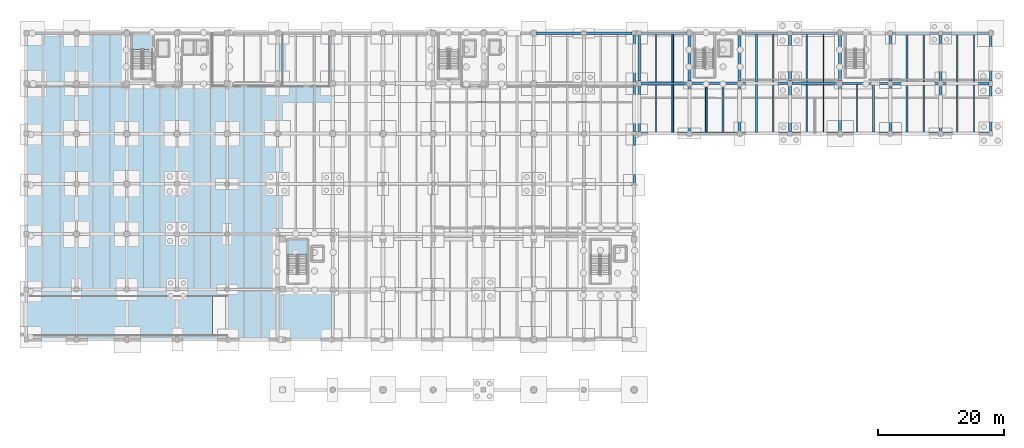
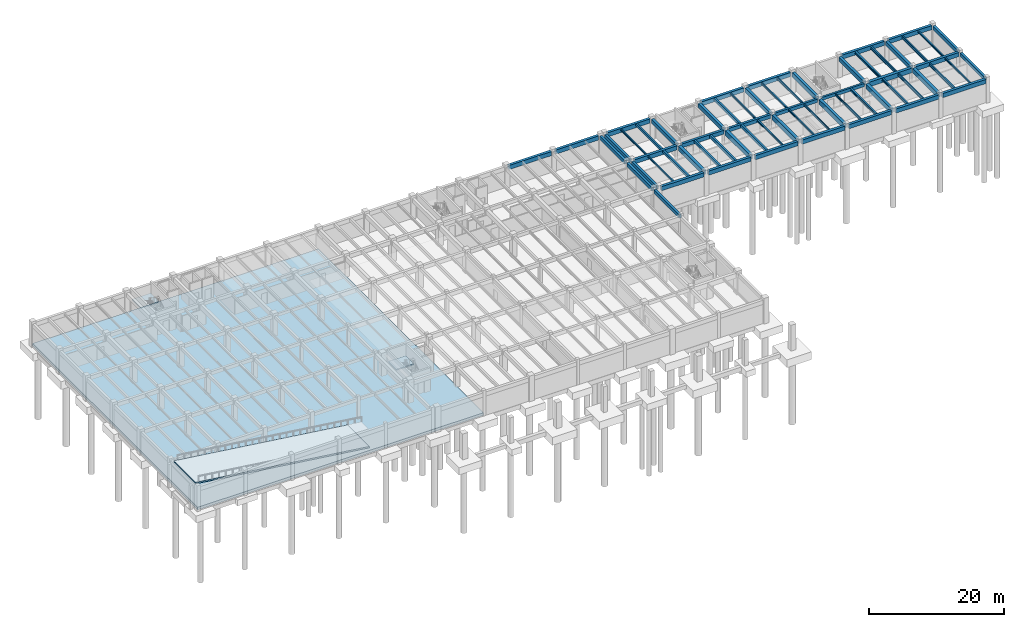
# One storey, part 12 of 25: 64 beams, 4 slabs, 2 elements without a shape of their own.
"""IFC4 building model written with IfcOpenShell, lengths in metres."""

from ifc_helpers import new_model, si_unit, direction, frame, origin, origin_2d, place, context, subcontext, project, spatial, polyline, rectangle, i_section, outline, extrude, material, layer, layer_set, material_profile, profile_set, type_object, element, aggregate, save


model = new_model("IFC4")

# Units and contexts
model_context = context("Model", 3, precision=1e-05, world=origin(), true_north=direction((0.0, 1.0)))
body_context = subcontext(model_context, "Body", "Model", "MODEL_VIEW")
ifc_project = project(units=[si_unit("LENGTHUNIT", "METRE"), si_unit("AREAUNIT", "SQUARE_METRE"), si_unit("VOLUMEUNIT", "CUBIC_METRE"), si_unit("PLANEANGLEUNIT", "RADIAN"), si_unit("MASSUNIT", "GRAM", prefix="KILO")], contexts=[model_context])

# Site, building, storey
site_placement = place(None, origin())
site = spatial("IfcSite", under=ifc_project, at=site_placement, CompositionType="ELEMENT")
building_placement = place(site_placement, origin())
building = spatial("IfcBuilding", under=site, at=building_placement, Name="Tlaxcora Railside Police Headquarters", CompositionType="ELEMENT")
storey_placement = place(building_placement, frame((0.0, 0.0, -4.199951171875)))
storey = spatial("IfcBuildingStorey", under=building, at=storey_placement, Name="B1", CompositionType="ELEMENT", Elevation=-4.199951171875)

# Beams
ifc_material_1 = material(Name="Concrete C40/50", Category="concrete")
ifc_material_profile_1 = material_profile(ifc_material_1, rectangle(XDim=0.39990234375, YDim=0.64990234375, at=origin_2d()), Name="RC400X650")
ifc_profile_set_1 = profile_set([ifc_material_profile_1], Name="Concrete C40/50")
beam_type_1 = type_object("IfcBeamType", Name="Perimeter Spandrel Beam BM-46", PredefinedType="SPANDREL", material=ifc_profile_set_1)
beam_1_placement = place(storey_placement, frame((102.0, 69.0400390625, 3.454833984375), z_axis=(0.0, 1.0, 0.0), x_axis=(-1.0, 0.0, 0.0)))
element("IfcBeam", 1, at=beam_1_placement, inside=storey, type_object=beam_type_1, Name="V5 B1 Y-girder X=102.0", PredefinedType="SPANDREL", context=body_context, shape_type="SweptSolid", body=[
    extrude(rectangle(XDim=0.39990234375, YDim=0.64990234375, at=origin_2d()), origin(), (0.0, 0.0, 1.0), 7.445068359375),
])
for number, where, z_axis, x_axis, name in (
    (2, (102.0, 77.114990234375, 3.454833984375), (0.0, 1.0, 0.0), (-1.0, 0.0, 0.0), "V5 B1 Y-girder X=102.0"),
    (3, (102.0, 85.114990234375, 3.454833984375), (0.0, 1.0, 0.0), (-1.0, 0.0, 0.0), "V5 B1 Y-girder X=102.0"),
):
    element("IfcBeam", number, at=place(storey_placement, frame(where, z_axis=z_axis, x_axis=x_axis)), inside=storey, type_object=beam_type_1, Name=name, PredefinedType="SPANDREL", context=body_context, shape_type="SweptSolid", body=[
        extrude(rectangle(XDim=0.39990234375, YDim=0.64990234375, at=origin_2d()), origin(), (0.0, 0.0, 1.0), 7.3701171875),
    ])
for number, where, z_axis, x_axis, name in (
    (4, (102.800048828125, 77.1650390625, 3.454833984375), (0.0, 1.0, 0.0), (-1.0, 0.0, 0.0), "V6 B1 Y-girder X=102.8"),
    (5, (102.800048828125, 85.1650390625, 3.454833984375), (0.0, 1.0, 0.0), (-1.0, 0.0, 0.0), "V6 B1 Y-girder X=102.8"),
):
    element("IfcBeam", number, at=place(storey_placement, frame(where, z_axis=z_axis, x_axis=x_axis)), inside=storey, type_object=beam_type_1, Name=name, PredefinedType="SPANDREL", context=body_context, shape_type="SweptSolid", body=[
        extrude(rectangle(XDim=0.39990234375, YDim=0.64990234375, at=origin_2d()), origin(), (0.0, 0.0, 1.0), 7.27001953125),
    ])
for number, where, z_axis, x_axis, name in (
    (6, (158.800048828125, 77.18994140625, 3.454833984375), (0.0, 1.0, 0.0), (-1.0, 0.0, 0.0), "V6 B1 Y-girder X=158.8"),
    (7, (158.800048828125, 85.18994140625, 3.454833984375), (0.0, 1.0, 0.0), (-1.0, 0.0, 0.0), "V6 B1 Y-girder X=158.8"),
):
    element("IfcBeam", number, at=place(storey_placement, frame(where, z_axis=z_axis, x_axis=x_axis)), inside=storey, type_object=beam_type_1, Name=name, PredefinedType="SPANDREL", context=body_context, shape_type="SweptSolid", body=[
        extrude(rectangle(XDim=0.39990234375, YDim=0.64990234375, at=origin_2d()), origin(), (0.0, 0.0, 1.0), 7.219970703125),
    ])
ifc_material_profile_2 = material_profile(ifc_material_1, rectangle(XDim=0.449951171875, YDim=0.75, at=origin_2d()), Name="RC450X750")
ifc_profile_set_2 = profile_set([ifc_material_profile_2], Name="Concrete C40/50")
beam_type_2 = type_object("IfcBeamType", Name="Perimeter Spandrel Beam BM-86", PredefinedType="SPANDREL", material=ifc_profile_set_2)
beam_2_placement = place(storey_placement, frame((86.4150390625, 92.800048828125, 3.405029296875), z_axis=(1.0, 0.0, 0.0), x_axis=(0.0, 1.0, 0.0)))
element("IfcBeam", 8, at=beam_2_placement, inside=storey, type_object=beam_type_2, Name="V5 B1 X-girder Y=92.8", PredefinedType="SPANDREL", context=body_context, shape_type="SweptSolid", body=[
    extrude(rectangle(XDim=0.449951171875, YDim=0.75, at=origin_2d()), origin(), (0.0, 0.0, 1.0), 7.219970703125),
])
beam_3_placement = place(storey_placement, frame((94.364990234375, 92.800048828125, 3.405029296875), z_axis=(1.0, 0.0, 0.0), x_axis=(0.0, 1.0, 0.0)))
element("IfcBeam", 9, at=beam_3_placement, inside=storey, type_object=beam_type_2, Name="V5 B1 X-girder Y=92.8", PredefinedType="SPANDREL", context=body_context, shape_type="SweptSolid", body=[
    extrude(rectangle(XDim=0.449951171875, YDim=0.75, at=origin_2d()), origin(), (0.0, 0.0, 1.0), 7.320068359375),
])
for number, where, z_axis, x_axis, name in (
    (10, (103.1650390625, 76.800048828125, 3.405029296875), (1.0, 0.0, 0.0), (0.0, 1.0, 0.0), "V6 B1 X-girder Y=76.8"),
    (11, (111.1650390625, 76.800048828125, 3.405029296875), (1.0, 0.0, 0.0), (0.0, 1.0, 0.0), "V6 B1 X-girder Y=76.8"),
    (12, (119.1650390625, 76.800048828125, 3.405029296875), (1.0, 0.0, 0.0), (0.0, 1.0, 0.0), "V6 B1 X-girder Y=76.8"),
    (13, (127.1650390625, 76.800048828125, 3.405029296875), (1.0, 0.0, 0.0), (0.0, 1.0, 0.0), "V6 B1 X-girder Y=76.8"),
    (14, (135.1650390625, 76.800048828125, 3.405029296875), (1.0, 0.0, 0.0), (0.0, 1.0, 0.0), "V6 B1 X-girder Y=76.8"),
):
    element("IfcBeam", number, at=place(storey_placement, frame(where, z_axis=z_axis, x_axis=x_axis)), inside=storey, type_object=beam_type_2, Name=name, PredefinedType="SPANDREL", context=body_context, shape_type="SweptSolid", body=[
        extrude(rectangle(XDim=0.449951171875, YDim=0.75, at=origin_2d()), origin(), (0.0, 0.0, 1.0), 7.27001953125),
    ])
beam_4_placement = place(storey_placement, frame((143.1650390625, 76.800048828125, 3.405029296875), z_axis=(1.0, 0.0, 0.0), x_axis=(0.0, 1.0, 0.0)))
element("IfcBeam", 15, at=beam_4_placement, inside=storey, type_object=beam_type_2, Name="V6 B1 X-girder Y=76.8", PredefinedType="SPANDREL", context=body_context, shape_type="SweptSolid", body=[
    extrude(rectangle(XDim=0.449951171875, YDim=0.75, at=origin_2d()), origin(), (0.0, 0.0, 1.0), 7.294921875),
])
beam_5_placement = place(storey_placement, frame((151.139892578125, 76.800048828125, 3.405029296875), z_axis=(1.0, 0.0, 0.0), x_axis=(0.0, 1.0, 0.0)))
element("IfcBeam", 16, at=beam_5_placement, inside=storey, type_object=beam_type_2, Name="V6 B1 X-girder Y=76.8", PredefinedType="SPANDREL", context=body_context, shape_type="SweptSolid", body=[
    extrude(rectangle(XDim=0.449951171875, YDim=0.75, at=origin_2d()), origin(), (0.0, 0.0, 1.0), 7.3701171875),
])
for number, where, z_axis, x_axis, name in (
    (17, (103.1650390625, 92.800048828125, 3.405029296875), (1.0, 0.0, 0.0), (0.0, 1.0, 0.0), "V6 B1 X-girder Y=92.8"),
    (18, (119.1650390625, 92.800048828125, 3.405029296875), (1.0, 0.0, 0.0), (0.0, 1.0, 0.0), "V6 B1 X-girder Y=92.8"),
    (19, (127.1650390625, 92.800048828125, 3.405029296875), (1.0, 0.0, 0.0), (0.0, 1.0, 0.0), "V6 B1 X-girder Y=92.8"),
):
    element("IfcBeam", number, at=place(storey_placement, frame(where, z_axis=z_axis, x_axis=x_axis)), inside=storey, type_object=beam_type_2, Name=name, PredefinedType="SPANDREL", context=body_context, shape_type="SweptSolid", body=[
        extrude(rectangle(XDim=0.449951171875, YDim=0.75, at=origin_2d()), origin(), (0.0, 0.0, 1.0), 7.27001953125),
    ])
beam_6_placement = place(storey_placement, frame((143.1650390625, 92.800048828125, 3.405029296875), z_axis=(1.0, 0.0, 0.0), x_axis=(0.0, 1.0, 0.0)))
element("IfcBeam", 20, at=beam_6_placement, inside=storey, type_object=beam_type_2, Name="V6 B1 X-girder Y=92.8", PredefinedType="SPANDREL", context=body_context, shape_type="SweptSolid", body=[
    extrude(rectangle(XDim=0.449951171875, YDim=0.75, at=origin_2d()), origin(), (0.0, 0.0, 1.0), 7.294921875),
])
beam_7_placement = place(storey_placement, frame((151.139892578125, 92.800048828125, 3.405029296875), z_axis=(1.0, 0.0, 0.0), x_axis=(0.0, 1.0, 0.0)))
element("IfcBeam", 21, at=beam_7_placement, inside=storey, type_object=beam_type_2, Name="V6 B1 X-girder Y=92.8", PredefinedType="SPANDREL", context=body_context, shape_type="SweptSolid", body=[
    extrude(rectangle(XDim=0.449951171875, YDim=0.75, at=origin_2d()), origin(), (0.0, 0.0, 1.0), 7.3701171875),
])
ifc_material_profile_3 = material_profile(ifc_material_1, rectangle(XDim=0.3798828125, YDim=0.60009765625, at=origin_2d()), Name="RC380X600")
ifc_profile_set_3 = profile_set([ifc_material_profile_3], Name="Concrete C40/50")
beam_type_3 = type_object("IfcBeamType", Name="Primary Frame Girder BM-22", PredefinedType="BEAM", material=ifc_profile_set_3)
beam_8_placement = place(storey_placement, frame((127.1650390625, 84.800048828125, 3.47998046875), z_axis=(1.0, 0.0, 0.0), x_axis=(0.0, 1.0, 0.0)))
element("IfcBeam", 22, at=beam_8_placement, inside=storey, type_object=beam_type_3, Name="V6 B1 X-girder Y=84.8", PredefinedType="BEAM", context=body_context, shape_type="SweptSolid", body=[
    extrude(rectangle(XDim=0.3798828125, YDim=0.60009765625, at=origin_2d()), origin(), (0.0, 0.0, 1.0), 7.27001953125),
])
ifc_material_profile_4 = material_profile(ifc_material_1, rectangle(XDim=0.419921875, YDim=0.699951171875, at=origin_2d()), Name="RC420X700")
ifc_profile_set_4 = profile_set([ifc_material_profile_4], Name="Concrete C40/50")
beam_type_4 = type_object("IfcBeamType", Name="Primary Frame Girder BM-35", PredefinedType="BEAM", material=ifc_profile_set_4)
beam_9_placement = place(storey_placement, frame((111.1650390625, 84.800048828125, 3.429931640625), z_axis=(1.0, 0.0, 0.0), x_axis=(0.0, 1.0, 0.0)))
element("IfcBeam", 23, at=beam_9_placement, inside=storey, type_object=beam_type_4, Name="V6 B1 X-girder Y=84.8", PredefinedType="BEAM", context=body_context, shape_type="SweptSolid", body=[
    extrude(rectangle(XDim=0.419921875, YDim=0.699951171875, at=origin_2d()), origin(), (0.0, 0.0, 1.0), 7.27001953125),
])
ifc_material_profile_5 = material_profile(ifc_material_1, rectangle(XDim=0.35009765625, YDim=0.550048828125, at=origin_2d()), Name="RC350X550")
ifc_profile_set_5 = profile_set([ifc_material_profile_5], Name="Concrete C40/50")
beam_type_5 = type_object("IfcBeamType", Name="Primary Frame Girder BM-39", PredefinedType="BEAM", material=ifc_profile_set_5)
beam_10_placement = place(storey_placement, frame((135.1650390625, 84.800048828125, 3.5048828125), z_axis=(1.0, 0.0, 0.0), x_axis=(0.0, 1.0, 0.0)))
element("IfcBeam", 24, at=beam_10_placement, inside=storey, type_object=beam_type_5, Name="V6 B1 X-girder Y=84.8", PredefinedType="BEAM", context=body_context, shape_type="SweptSolid", body=[
    extrude(rectangle(XDim=0.35009765625, YDim=0.550048828125, at=origin_2d()), origin(), (0.0, 0.0, 1.0), 7.27001953125),
])
ifc_material_profile_6 = material_profile(ifc_material_1, rectangle(XDim=0.39990234375, YDim=0.64990234375, at=origin_2d()), Name="RC400X650")
ifc_profile_set_6 = profile_set([ifc_material_profile_6], Name="Concrete C40/50")
beam_type_6 = type_object("IfcBeamType", Name="Primary Frame Girder BM-41", PredefinedType="BEAM", material=ifc_profile_set_6)
beam_11_placement = place(storey_placement, frame((119.1650390625, 84.800048828125, 3.454833984375), z_axis=(1.0, 0.0, 0.0), x_axis=(0.0, 1.0, 0.0)))
element("IfcBeam", 25, at=beam_11_placement, inside=storey, type_object=beam_type_6, Name="V6 B1 X-girder Y=84.8", PredefinedType="BEAM", context=body_context, shape_type="SweptSolid", body=[
    extrude(rectangle(XDim=0.39990234375, YDim=0.64990234375, at=origin_2d()), origin(), (0.0, 0.0, 1.0), 7.27001953125),
])
ifc_material_profile_7 = material_profile(ifc_material_1, rectangle(XDim=0.5, YDim=0.85009765625, at=origin_2d()), Name="RC500X850")
ifc_profile_set_7 = profile_set([ifc_material_profile_7], Name="Concrete C40/50")
beam_type_7 = type_object("IfcBeamType", Name="Primary Frame Girder BM-64", PredefinedType="BEAM", material=ifc_profile_set_7)
beam_12_placement = place(storey_placement, frame((143.1650390625, 84.800048828125, 3.35498046875), z_axis=(1.0, 0.0, 0.0), x_axis=(0.0, 1.0, 0.0)))
element("IfcBeam", 26, at=beam_12_placement, inside=storey, type_object=beam_type_7, Name="V6 B1 X-girder Y=84.8", PredefinedType="BEAM", context=body_context, shape_type="SweptSolid", body=[
    extrude(rectangle(XDim=0.5, YDim=0.85009765625, at=origin_2d()), origin(), (0.0, 0.0, 1.0), 7.294921875),
])
for number, where, z_axis, x_axis, name in (
    (27, (110.800048828125, 77.1650390625, 3.35498046875), (0.0, 1.0, 0.0), (-1.0, 0.0, 0.0), "V6 B1 Y-girder X=110.8"),
    (28, (118.800048828125, 77.1650390625, 3.35498046875), (0.0, 1.0, 0.0), (-1.0, 0.0, 0.0), "V6 B1 Y-girder X=118.8"),
    (29, (126.800048828125, 77.1650390625, 3.35498046875), (0.0, 1.0, 0.0), (-1.0, 0.0, 0.0), "V6 B1 Y-girder X=126.8"),
    (30, (134.800048828125, 77.1650390625, 3.35498046875), (0.0, 1.0, 0.0), (-1.0, 0.0, 0.0), "V6 B1 Y-girder X=134.8"),
    (31, (142.800048828125, 77.1650390625, 3.35498046875), (0.0, 1.0, 0.0), (-1.0, 0.0, 0.0), "V6 B1 Y-girder X=142.8"),
):
    element("IfcBeam", number, at=place(storey_placement, frame(where, z_axis=z_axis, x_axis=x_axis)), inside=storey, type_object=beam_type_7, Name=name, PredefinedType="BEAM", context=body_context, shape_type="SweptSolid", body=[
        extrude(rectangle(XDim=0.5, YDim=0.85009765625, at=origin_2d()), origin(), (0.0, 0.0, 1.0), 7.27001953125),
    ])
beam_13_placement = place(storey_placement, frame((150.800048828125, 77.139892578125, 3.35498046875), z_axis=(0.0, 1.0, 0.0), x_axis=(-1.0, 0.0, 0.0)))
element("IfcBeam", 32, at=beam_13_placement, inside=storey, type_object=beam_type_7, Name="V6 B1 Y-girder X=150.8", PredefinedType="BEAM", context=body_context, shape_type="SweptSolid", body=[
    extrude(rectangle(XDim=0.5, YDim=0.85009765625, at=origin_2d()), origin(), (0.0, 0.0, 1.0), 7.320068359375),
])
ifc_material_profile_8 = material_profile(ifc_material_1, rectangle(XDim=0.449951171875, YDim=0.75, at=origin_2d()), Name="RC450X750")
ifc_profile_set_8 = profile_set([ifc_material_profile_8], Name="Concrete C40/50")
beam_type_8 = type_object("IfcBeamType", Name="Primary Frame Girder BM-73", PredefinedType="BEAM", material=ifc_profile_set_8)
beam_14_placement = place(storey_placement, frame((103.1650390625, 84.800048828125, 3.405029296875), z_axis=(1.0, 0.0, 0.0), x_axis=(0.0, 1.0, 0.0)))
element("IfcBeam", 33, at=beam_14_placement, inside=storey, type_object=beam_type_8, Name="V6 B1 X-girder Y=84.8", PredefinedType="BEAM", context=body_context, shape_type="SweptSolid", body=[
    extrude(rectangle(XDim=0.449951171875, YDim=0.75, at=origin_2d()), origin(), (0.0, 0.0, 1.0), 7.27001953125),
])
beam_15_placement = place(storey_placement, frame((151.139892578125, 84.800048828125, 3.405029296875), z_axis=(1.0, 0.0, 0.0), x_axis=(0.0, 1.0, 0.0)))
element("IfcBeam", 34, at=beam_15_placement, inside=storey, type_object=beam_type_8, Name="V6 B1 X-girder Y=84.8", PredefinedType="BEAM", context=body_context, shape_type="SweptSolid", body=[
    extrude(rectangle(XDim=0.449951171875, YDim=0.75, at=origin_2d()), origin(), (0.0, 0.0, 1.0), 7.3701171875),
])
for number, where, z_axis, x_axis, name in (
    (35, (110.800048828125, 85.1650390625, 3.405029296875), (0.0, 1.0, 0.0), (-1.0, 0.0, 0.0), "V6 B1 Y-girder X=110.8"),
    (36, (118.800048828125, 85.1650390625, 3.405029296875), (0.0, 1.0, 0.0), (-1.0, 0.0, 0.0), "V6 B1 Y-girder X=118.8"),
    (37, (126.800048828125, 85.1650390625, 3.405029296875), (0.0, 1.0, 0.0), (-1.0, 0.0, 0.0), "V6 B1 Y-girder X=126.8"),
    (38, (134.800048828125, 85.1650390625, 3.405029296875), (0.0, 1.0, 0.0), (-1.0, 0.0, 0.0), "V6 B1 Y-girder X=134.8"),
    (39, (142.800048828125, 85.1650390625, 3.405029296875), (0.0, 1.0, 0.0), (-1.0, 0.0, 0.0), "V6 B1 Y-girder X=142.8"),
):
    element("IfcBeam", number, at=place(storey_placement, frame(where, z_axis=z_axis, x_axis=x_axis)), inside=storey, type_object=beam_type_8, Name=name, PredefinedType="BEAM", context=body_context, shape_type="SweptSolid", body=[
        extrude(rectangle(XDim=0.449951171875, YDim=0.75, at=origin_2d()), origin(), (0.0, 0.0, 1.0), 7.27001953125),
    ])
beam_16_placement = place(storey_placement, frame((150.800048828125, 85.139892578125, 3.405029296875), z_axis=(0.0, 1.0, 0.0), x_axis=(-1.0, 0.0, 0.0)))
element("IfcBeam", 40, at=beam_16_placement, inside=storey, type_object=beam_type_8, Name="V6 B1 Y-girder X=150.8", PredefinedType="BEAM", context=body_context, shape_type="SweptSolid", body=[
    extrude(rectangle(XDim=0.449951171875, YDim=0.75, at=origin_2d()), origin(), (0.0, 0.0, 1.0), 7.320068359375),
])
ifc_material_2 = material(Name="Concrete C35/45", Category="concrete")
ifc_material_profile_9 = material_profile(ifc_material_2, rectangle(XDim=0.300048828125, YDim=0.449951171875, at=origin_2d()), Name="RC300X450")
ifc_profile_set_9 = profile_set([ifc_material_profile_9], Name="Concrete C35/45")
beam_type_9 = type_object("IfcBeamType", Name="Secondary Floor Joist BM-27", PredefinedType="JOIST", material=ifc_profile_set_9)
beam_17_placement = place(storey_placement, frame((108.13330078125, 77.01708984375, 3.554931640625), z_axis=(0.0, 1.0, 0.0), x_axis=(-1.0, 0.0, 0.0)))
element("IfcBeam", 41, at=beam_17_placement, inside=storey, type_object=beam_type_9, Name="V6 B1 floor joist X=108.13", PredefinedType="JOIST", context=body_context, shape_type="SweptSolid", body=[
    extrude(rectangle(XDim=0.300048828125, YDim=0.449951171875, at=origin_2d()), origin(), (0.0, 0.0, 1.0), 7.56591796875),
])
beam_18_placement = place(storey_placement, frame((113.466796875, 77.01708984375, 3.554931640625), z_axis=(0.0, 1.0, 0.0), x_axis=(-1.0, 0.0, 0.0)))
element("IfcBeam", 42, at=beam_18_placement, inside=storey, type_object=beam_type_9, Name="V6 B1 floor joist X=113.47", PredefinedType="JOIST", context=body_context, shape_type="SweptSolid", body=[
    extrude(rectangle(XDim=0.300048828125, YDim=0.449951171875, at=origin_2d()), origin(), (0.0, 0.0, 1.0), 7.580810546875),
])
beam_19_placement = place(storey_placement, frame((108.13330078125, 85.01708984375, 3.554931640625), z_axis=(0.0, 1.0, 0.0), x_axis=(-1.0, 0.0, 0.0)))
element("IfcBeam", 43, at=beam_19_placement, inside=storey, type_object=beam_type_9, Name="V6 B1 floor joist X=108.13", PredefinedType="JOIST", context=body_context, shape_type="SweptSolid", body=[
    extrude(rectangle(XDim=0.300048828125, YDim=0.449951171875, at=origin_2d()), origin(), (0.0, 0.0, 1.0), 7.56591796875),
])
ifc_material_3 = material(Name="Steel ASTM A992 Grade 50", Category="steel")
ifc_material_profile_10 = material_profile(ifc_material_3, i_section(OverallWidth=0.280029296875, OverallDepth=0.4619140625, WebThickness=0.0107421875, FlangeThickness=0.017333984375, at=origin_2d()), Name="W18X76")
ifc_profile_set_10 = profile_set([ifc_material_profile_10], Name="Steel ASTM A992 Grade 50")
beam_type_10 = type_object("IfcBeamType", Name="Secondary Floor Joist BM-44", PredefinedType="JOIST", material=ifc_profile_set_10)
beam_20_placement = place(storey_placement, frame((140.13330078125, 77.01708984375, 3.549072265625), z_axis=(0.0, 1.0, 0.0), x_axis=(-1.0, 0.0, 0.0)))
element("IfcBeam", 44, at=beam_20_placement, inside=storey, type_object=beam_type_10, Name="V6 B1 floor joist X=140.13", PredefinedType="JOIST", context=body_context, shape_type="SweptSolid", body=[
    extrude(i_section(OverallWidth=0.280029296875, OverallDepth=0.4619140625, WebThickness=0.0107421875, FlangeThickness=0.017333984375, at=origin_2d()), origin(), (0.0, 0.0, 1.0), 7.615966796875),
])
for number, where, z_axis, x_axis, name in (
    (45, (145.466796875, 77.01708984375, 3.549072265625), (0.0, 1.0, 0.0), (-1.0, 0.0, 0.0), "V6 B1 floor joist X=145.47"),
    (46, (145.466796875, 85.0419921875, 3.549072265625), (0.0, 1.0, 0.0), (-1.0, 0.0, 0.0), "V6 B1 floor joist X=145.47"),
):
    element("IfcBeam", number, at=place(storey_placement, frame(where, z_axis=z_axis, x_axis=x_axis)), inside=storey, type_object=beam_type_10, Name=name, PredefinedType="JOIST", context=body_context, shape_type="SweptSolid", body=[
        extrude(i_section(OverallWidth=0.280029296875, OverallDepth=0.4619140625, WebThickness=0.0107421875, FlangeThickness=0.017333984375, at=origin_2d()), origin(), (0.0, 0.0, 1.0), 7.541015625),
    ])
ifc_material_profile_11 = material_profile(ifc_material_3, i_section(OverallWidth=0.2041015625, OverallDepth=0.35009765625, WebThickness=0.008544921875, FlangeThickness=0.01513671875, at=origin_2d()), Name="W14X48")
ifc_profile_set_11 = profile_set([ifc_material_profile_11], Name="Steel ASTM A992 Grade 50")
beam_type_11 = type_object("IfcBeamType", Name="Secondary Floor Joist BM-65", PredefinedType="JOIST", material=ifc_profile_set_11)
beam_21_placement = place(storey_placement, frame((124.13330078125, 77.01708984375, 3.60498046875), z_axis=(0.0, 1.0, 0.0), x_axis=(-1.0, 0.0, 0.0)))
element("IfcBeam", 47, at=beam_21_placement, inside=storey, type_object=beam_type_11, Name="V6 B1 floor joist X=124.13", PredefinedType="JOIST", context=body_context, shape_type="SweptSolid", body=[
    extrude(i_section(OverallWidth=0.2041015625, OverallDepth=0.35009765625, WebThickness=0.008544921875, FlangeThickness=0.01513671875, at=origin_2d()), origin(), (0.0, 0.0, 1.0), 7.5908203125),
])
beam_22_placement = place(storey_placement, frame((129.466796875, 77.01708984375, 3.60498046875), z_axis=(0.0, 1.0, 0.0), x_axis=(-1.0, 0.0, 0.0)))
element("IfcBeam", 48, at=beam_22_placement, inside=storey, type_object=beam_type_11, Name="V6 B1 floor joist X=129.47", PredefinedType="JOIST", context=body_context, shape_type="SweptSolid", body=[
    extrude(i_section(OverallWidth=0.2041015625, OverallDepth=0.35009765625, WebThickness=0.008544921875, FlangeThickness=0.01513671875, at=origin_2d()), origin(), (0.0, 0.0, 1.0), 7.600830078125),
])
beam_23_placement = place(storey_placement, frame((124.13330078125, 84.991943359375, 3.60498046875), z_axis=(0.0, 1.0, 0.0), x_axis=(-1.0, 0.0, 0.0)))
element("IfcBeam", 49, at=beam_23_placement, inside=storey, type_object=beam_type_11, Name="V6 B1 floor joist X=124.13", PredefinedType="JOIST", context=body_context, shape_type="SweptSolid", body=[
    extrude(i_section(OverallWidth=0.2041015625, OverallDepth=0.35009765625, WebThickness=0.008544921875, FlangeThickness=0.01513671875, at=origin_2d()), origin(), (0.0, 0.0, 1.0), 7.591064453125),
])
beam_24_placement = place(storey_placement, frame((129.466796875, 84.98193359375, 3.60498046875), z_axis=(0.0, 1.0, 0.0), x_axis=(-1.0, 0.0, 0.0)))
element("IfcBeam", 50, at=beam_24_placement, inside=storey, type_object=beam_type_11, Name="V6 B1 floor joist X=129.47", PredefinedType="JOIST", context=body_context, shape_type="SweptSolid", body=[
    extrude(i_section(OverallWidth=0.2041015625, OverallDepth=0.35009765625, WebThickness=0.008544921875, FlangeThickness=0.01513671875, at=origin_2d()), origin(), (0.0, 0.0, 1.0), 7.60107421875),
])
ifc_material_profile_12 = material_profile(ifc_material_3, i_section(OverallWidth=0.180908203125, OverallDepth=0.4169921875, WebThickness=0.010009765625, FlangeThickness=0.018310546875, at=origin_2d()), Name="W16X57")
ifc_profile_set_12 = profile_set([ifc_material_profile_12], Name="Steel ASTM A992 Grade 50")
beam_type_12 = type_object("IfcBeamType", Name="Secondary Floor Joist BM-84", PredefinedType="JOIST", material=ifc_profile_set_12)
beam_25_placement = place(storey_placement, frame((132.13330078125, 77.01708984375, 3.571533203125), z_axis=(0.0, 1.0, 0.0), x_axis=(-1.0, 0.0, 0.0)))
element("IfcBeam", 51, at=beam_25_placement, inside=storey, type_object=beam_type_12, Name="V6 B1 floor joist X=132.13", PredefinedType="JOIST", context=body_context, shape_type="SweptSolid", body=[
    extrude(i_section(OverallWidth=0.180908203125, OverallDepth=0.4169921875, WebThickness=0.010009765625, FlangeThickness=0.018310546875, at=origin_2d()), origin(), (0.0, 0.0, 1.0), 7.600830078125),
])
beam_26_placement = place(storey_placement, frame((137.466796875, 77.01708984375, 3.571533203125), z_axis=(0.0, 1.0, 0.0), x_axis=(-1.0, 0.0, 0.0)))
element("IfcBeam", 52, at=beam_26_placement, inside=storey, type_object=beam_type_12, Name="V6 B1 floor joist X=137.47", PredefinedType="JOIST", context=body_context, shape_type="SweptSolid", body=[
    extrude(i_section(OverallWidth=0.180908203125, OverallDepth=0.4169921875, WebThickness=0.010009765625, FlangeThickness=0.018310546875, at=origin_2d()), origin(), (0.0, 0.0, 1.0), 7.615966796875),
])
beam_27_placement = place(storey_placement, frame((132.13330078125, 84.98193359375, 3.571533203125), z_axis=(0.0, 1.0, 0.0), x_axis=(-1.0, 0.0, 0.0)))
element("IfcBeam", 53, at=beam_27_placement, inside=storey, type_object=beam_type_12, Name="V6 B1 floor joist X=132.13", PredefinedType="JOIST", context=body_context, shape_type="SweptSolid", body=[
    extrude(i_section(OverallWidth=0.180908203125, OverallDepth=0.4169921875, WebThickness=0.010009765625, FlangeThickness=0.018310546875, at=origin_2d()), origin(), (0.0, 0.0, 1.0), 7.60107421875),
])
ifc_material_profile_13 = material_profile(ifc_material_2, rectangle(XDim=0.320068359375, YDim=0.5, at=origin_2d()), Name="RC320X500")
ifc_profile_set_13 = profile_set([ifc_material_profile_13], Name="Concrete C35/45")
beam_type_13 = type_object("IfcBeamType", Name="Secondary Floor Joist BM-88", PredefinedType="JOIST", material=ifc_profile_set_13)
beam_28_placement = place(storey_placement, frame((116.13330078125, 77.01708984375, 3.530029296875), z_axis=(0.0, 1.0, 0.0), x_axis=(-1.0, 0.0, 0.0)))
element("IfcBeam", 54, at=beam_28_placement, inside=storey, type_object=beam_type_13, Name="V6 B1 floor joist X=116.13", PredefinedType="JOIST", context=body_context, shape_type="SweptSolid", body=[
    extrude(rectangle(XDim=0.320068359375, YDim=0.5, at=origin_2d()), origin(), (0.0, 0.0, 1.0), 7.580810546875),
])
beam_29_placement = place(storey_placement, frame((121.466796875, 77.01708984375, 3.530029296875), z_axis=(0.0, 1.0, 0.0), x_axis=(-1.0, 0.0, 0.0)))
element("IfcBeam", 55, at=beam_29_placement, inside=storey, type_object=beam_type_13, Name="V6 B1 floor joist X=121.47", PredefinedType="JOIST", context=body_context, shape_type="SweptSolid", body=[
    extrude(rectangle(XDim=0.320068359375, YDim=0.5, at=origin_2d()), origin(), (0.0, 0.0, 1.0), 7.5908203125),
])
beam_30_placement = place(storey_placement, frame((121.466796875, 84.991943359375, 3.530029296875), z_axis=(0.0, 1.0, 0.0), x_axis=(-1.0, 0.0, 0.0)))
element("IfcBeam", 56, at=beam_30_placement, inside=storey, type_object=beam_type_13, Name="V6 B1 floor joist X=121.47", PredefinedType="JOIST", context=body_context, shape_type="SweptSolid", body=[
    extrude(rectangle(XDim=0.320068359375, YDim=0.5, at=origin_2d()), origin(), (0.0, 0.0, 1.0), 7.591064453125),
])
ifc_material_profile_14 = material_profile(ifc_material_3, i_section(OverallWidth=0.202880859375, OverallDepth=0.302978515625, WebThickness=0.007568359375, FlangeThickness=0.01318359375, at=origin_2d()), Name="W12X40")
ifc_profile_set_14 = profile_set([ifc_material_profile_14], Name="Steel ASTM A992 Grade 50")
beam_type_14 = type_object("IfcBeamType", Name="Secondary Floor Joist BM-96", PredefinedType="JOIST", material=ifc_profile_set_14)
for number, where, z_axis, x_axis, name in (
    (57, (105.466796875, 77.01708984375, 3.62841796875), (0.0, 1.0, 0.0), (-1.0, 0.0, 0.0), "V6 B1 floor joist X=105.47"),
    (58, (156.13330078125, 77.01708984375, 3.62841796875), (0.0, 1.0, 0.0), (-1.0, 0.0, 0.0), "V6 B1 floor joist X=156.13"),
    (59, (105.466796875, 85.01708984375, 3.62841796875), (0.0, 1.0, 0.0), (-1.0, 0.0, 0.0), "V6 B1 floor joist X=105.47"),
    (60, (156.13330078125, 85.01708984375, 3.62841796875), (0.0, 1.0, 0.0), (-1.0, 0.0, 0.0), "V6 B1 floor joist X=156.13"),
):
    element("IfcBeam", number, at=place(storey_placement, frame(where, z_axis=z_axis, x_axis=x_axis)), inside=storey, type_object=beam_type_14, Name=name, PredefinedType="JOIST", context=body_context, shape_type="SweptSolid", body=[
        extrude(i_section(OverallWidth=0.202880859375, OverallDepth=0.302978515625, WebThickness=0.007568359375, FlangeThickness=0.01318359375, at=origin_2d()), origin(), (0.0, 0.0, 1.0), 7.56591796875),
    ])
ifc_material_profile_15 = material_profile(ifc_material_3, i_section(OverallWidth=0.214111328125, OverallDepth=0.549072265625, WebThickness=0.0146484375, FlangeThickness=0.023681640625, at=origin_2d()), Name="W21X93")
ifc_profile_set_15 = profile_set([ifc_material_profile_15], Name="Steel ASTM A992 Grade 50")
beam_type_15 = type_object("IfcBeamType", Name="Secondary Floor Joist BM-97", PredefinedType="JOIST", material=ifc_profile_set_15)
beam_31_placement = place(storey_placement, frame((148.13330078125, 77.01708984375, 3.50537109375), z_axis=(0.0, 1.0, 0.0), x_axis=(-1.0, 0.0, 0.0)))
element("IfcBeam", 61, at=beam_31_placement, inside=storey, type_object=beam_type_15, Name="V6 B1 floor joist X=148.13", PredefinedType="JOIST", context=body_context, shape_type="SweptSolid", body=[
    extrude(i_section(OverallWidth=0.214111328125, OverallDepth=0.549072265625, WebThickness=0.0146484375, FlangeThickness=0.023681640625, at=origin_2d()), origin(), (0.0, 0.0, 1.0), 7.541015625),
])
beam_32_placement = place(storey_placement, frame((153.466796875, 77.01708984375, 3.50537109375), z_axis=(0.0, 1.0, 0.0), x_axis=(-1.0, 0.0, 0.0)))
element("IfcBeam", 62, at=beam_32_placement, inside=storey, type_object=beam_type_15, Name="V6 B1 floor joist X=153.47", PredefinedType="JOIST", context=body_context, shape_type="SweptSolid", body=[
    extrude(i_section(OverallWidth=0.214111328125, OverallDepth=0.549072265625, WebThickness=0.0146484375, FlangeThickness=0.023681640625, at=origin_2d()), origin(), (0.0, 0.0, 1.0), 7.56591796875),
])
beam_33_placement = place(storey_placement, frame((148.13330078125, 85.0419921875, 3.50537109375), z_axis=(0.0, 1.0, 0.0), x_axis=(-1.0, 0.0, 0.0)))
element("IfcBeam", 63, at=beam_33_placement, inside=storey, type_object=beam_type_15, Name="V6 B1 floor joist X=148.13", PredefinedType="JOIST", context=body_context, shape_type="SweptSolid", body=[
    extrude(i_section(OverallWidth=0.214111328125, OverallDepth=0.549072265625, WebThickness=0.0146484375, FlangeThickness=0.023681640625, at=origin_2d()), origin(), (0.0, 0.0, 1.0), 7.541015625),
])
beam_34_placement = place(storey_placement, frame((153.466796875, 85.01708984375, 3.50537109375), z_axis=(0.0, 1.0, 0.0), x_axis=(-1.0, 0.0, 0.0)))
element("IfcBeam", 64, at=beam_34_placement, inside=storey, type_object=beam_type_15, Name="V6 B1 floor joist X=153.47", PredefinedType="JOIST", context=body_context, shape_type="SweptSolid", body=[
    extrude(i_section(OverallWidth=0.214111328125, OverallDepth=0.549072265625, WebThickness=0.0146484375, FlangeThickness=0.023681640625, at=origin_2d()), origin(), (0.0, 0.0, 1.0), 7.56591796875),
])

# Slab
ifc_layer_1 = layer(ifc_material_2, 0.4599609375, Name="Concrete C35/45")
ifc_layer_set_1 = layer_set([ifc_layer_1], Name="Concrete C35/45")
slab_type_1 = type_object("IfcSlabType", Name="Basement Base Slab SL-34", PredefinedType="BASESLAB", material=ifc_layer_set_1)
slab_1_placement = place(storey_placement, frame((0.0, 0.0, -0.4599609375)))
element("IfcSlab", 65, at=slab_1_placement, inside=storey, type_object=slab_type_1, Name="B1 West Fleet Garage base slab", PredefinedType="BASESLAB", context=body_context, shape_type="SweptSolid", body=[
    extrude(outline(polyline([(54.0, 44.0), (54.0, 92.800048828125), (5.199951171875, 92.800048828125), (5.199951171875, 44.0), (54.0, 44.0)])), origin(), (0.0, 0.0, 1.0), 0.4599609375),
])

# Stair, slab
stair_type_1 = type_object("IfcStairType", Name="Half-Turn Dog-Leg Stair ST-36", PredefinedType="HALF_TURN_STAIR", material=ifc_material_1)
stair_1_placement = place(storey_placement, origin())
stair_1 = element("IfcStair", 66, at=stair_1_placement, inside=storey, type_object=stair_type_1, Name="B1 ST1", PredefinedType="HALF_TURN_STAIR")
ifc_layer_2 = layer(ifc_material_2, 0.199951171875, Name="Concrete C35/45")
ifc_layer_set_2 = layer_set([ifc_layer_2], Name="Concrete C35/45")
slab_type_2 = type_object("IfcSlabType", Name="Stair Landing Slab SL-23", PredefinedType="LANDING", material=ifc_layer_set_2)
slab_2_placement = place(storey_placement, frame((0.0, 0.0, 1.89990234375)))
slab_2 = element("IfcSlab", 67, at=slab_2_placement, type_object=slab_type_2, Name="ST1 landing 1", PredefinedType="LANDING", context=body_context, shape_type="SweptSolid", body=[
    extrude(outline(polyline([(25.31005859375, 90.18994140625), (25.31005859375, 92.68994140625), (22.110107421875, 92.68994140625), (22.110107421875, 90.18994140625), (25.31005859375, 90.18994140625)])), origin(), (0.0, 0.0, 1.0), 0.199951171875),
])
aggregate(stair_1, [slab_2])

stair_type_2 = type_object("IfcStairType", Name="Half-Turn Dog-Leg Stair ST-45", PredefinedType="HALF_TURN_STAIR", material=ifc_material_1)
stair_2_placement = place(storey_placement, origin())
stair_2 = element("IfcStair", 68, at=stair_2_placement, inside=storey, type_object=stair_type_2, Name="B1 ST4", PredefinedType="HALF_TURN_STAIR")
slab_3_placement = place(storey_placement, frame((0.0, 0.0, 1.89990234375)))
slab_3 = element("IfcSlab", 69, at=slab_3_placement, type_object=slab_type_2, Name="ST4 landing 1", PredefinedType="LANDING", context=body_context, shape_type="SweptSolid", body=[
    extrude(outline(polyline([(49.909912109375, 57.489990234375), (49.909912109375, 59.889892578125), (46.909912109375, 59.889892578125), (46.909912109375, 57.489990234375), (49.909912109375, 57.489990234375)])), origin(), (0.0, 0.0, 1.0), 0.199951171875),
])
aggregate(stair_2, [slab_3])

# Slab
ifc_layer_3 = layer(ifc_material_2, 0.25, Name="Concrete C35/45")
ifc_layer_set_3 = layer_set([ifc_layer_3], Name="Concrete C35/45")
slab_type_3 = type_object("IfcSlabType", Name="Suspended Floor Slab SL-22", PredefinedType="FLOOR", material=ifc_layer_set_3)
slab_4_placement = place(storey_placement, frame((5.199951171875, 51.0, 0.0), z_axis=(0.0, -1.0, 0.0), x_axis=(1.0, 0.0, 0.0)))
element("IfcSlab", 70, at=slab_4_placement, inside=storey, type_object=slab_type_3, Name="B1 to L00 structural vehicle ramp slab", PredefinedType="FLOOR", context=body_context, shape_type="SweptSolid", body=[
    extrude(outline(polyline([(0.0, 3.8876953125), (29.650146484375, -0.00390625), (29.650146484375, 0.248291015625), (0.0, 4.139892578125), (0.0, 3.8876953125)])), origin(), (0.0, 0.0, 1.0), 6.39990234375),
])

save(model, "model.ifc")
